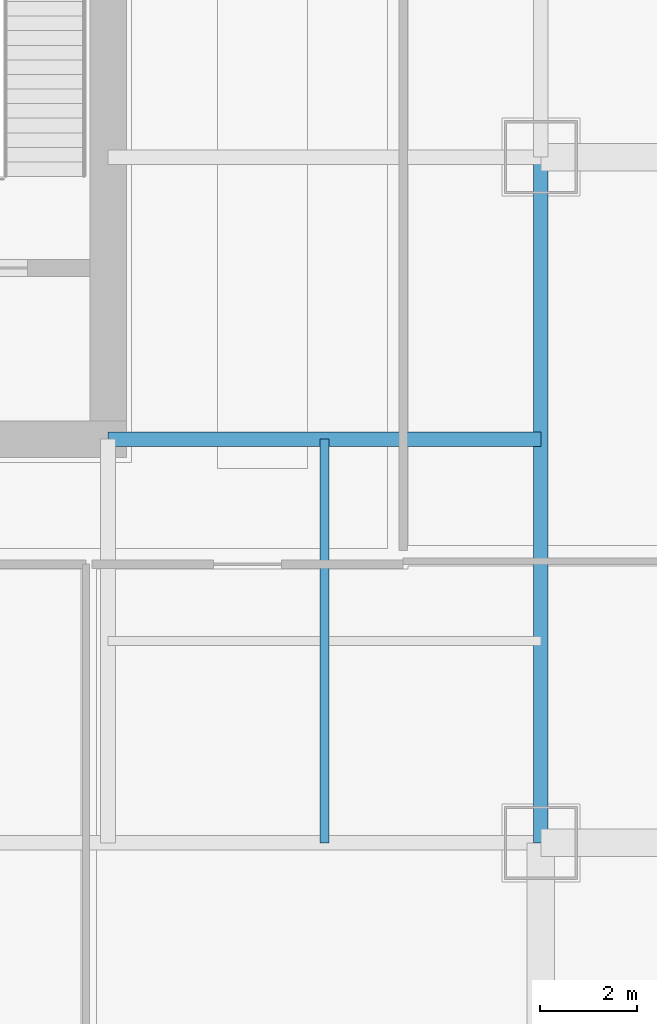
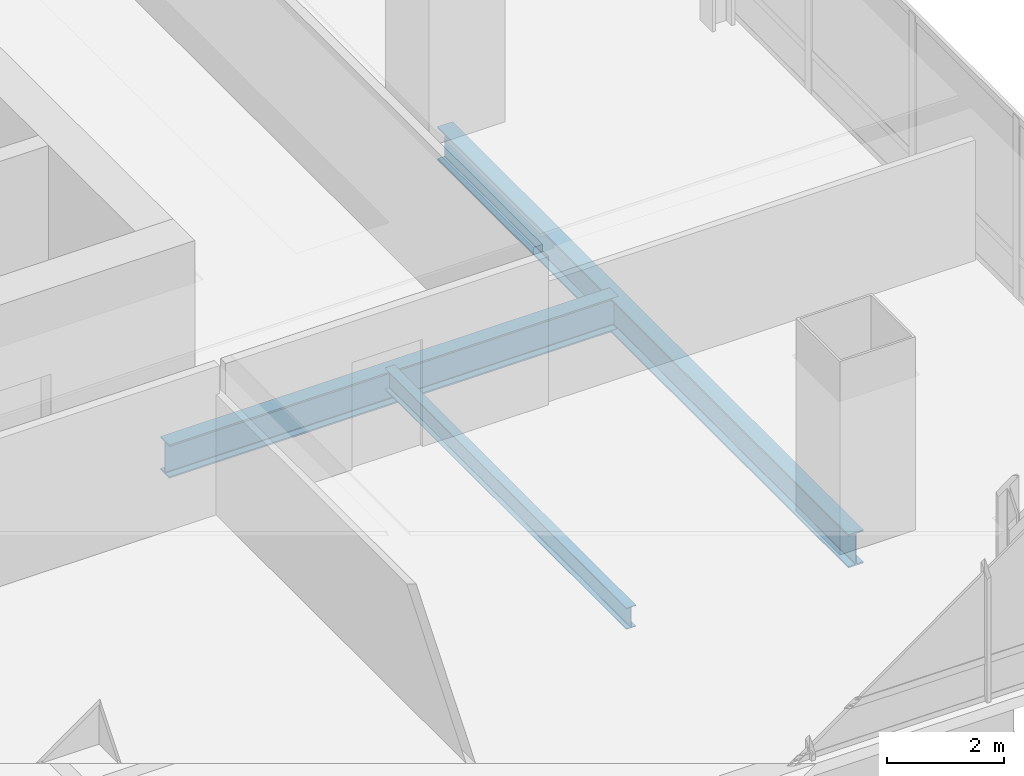
# One storey, part 12 of 40: 3 beams.
"""IFC4 building model written with IfcOpenShell, lengths in metres."""

from ifc_helpers import new_model, si_unit, direction, frame, origin, origin_2d, place, context, subcontext, project, spatial, i_section, extrude, material, material_profile, profile_set, type_object, element, save


model = new_model("IFC4")

# Units and contexts
model_context = context("Model", 3, precision=1e-05, world=origin(), true_north=direction((0.0, 1.0)))
body_context = subcontext(model_context, "Body", "Model", "MODEL_VIEW")
ifc_project = project(units=[si_unit("LENGTHUNIT", "METRE"), si_unit("AREAUNIT", "SQUARE_METRE"), si_unit("VOLUMEUNIT", "CUBIC_METRE"), si_unit("PLANEANGLEUNIT", "RADIAN"), si_unit("MASSUNIT", "GRAM", prefix="KILO")], contexts=[model_context])

# Site, building, storey
site_placement = place(None, origin())
site = spatial("IfcSite", under=ifc_project, at=site_placement, CompositionType="ELEMENT")
building_placement = place(site_placement, origin())
building = spatial("IfcBuilding", under=site, at=building_placement, Name="Punatoya Terracotta Tower", CompositionType="ELEMENT")
storey_placement = place(building_placement, frame((0.0, 0.0, 76.800048828125)))
storey = spatial("IfcBuildingStorey", under=building, at=storey_placement, Name="L17", CompositionType="ELEMENT", Elevation=76.800048828125)

# Beams
ifc_material = material(Name="Steel S355", Category="steel")
ifc_material_profile_1 = material_profile(ifc_material, i_section(OverallWidth=0.300048828125, OverallDepth=0.699951171875, WebThickness=0.01708984375, FlangeThickness=0.031982421875, FilletRadius=0.01806640625, at=origin_2d()))
ifc_profile_set_1 = profile_set([ifc_material_profile_1], Name="Steel S355")
beam_type_1 = type_object("IfcBeamType", Name="BM-PRI-700", PredefinedType="BEAM", material=ifc_profile_set_1)
beam_1_placement = place(storey_placement, frame((19.10009765625, -17.5, -0.590087890625), z_axis=(0.0, 1.0, 0.0), x_axis=(-1.0, 0.0, 0.0)))
element("IfcBeam", 1, at=beam_1_placement, inside=storey, type_object=beam_type_1, Name="BM-L17-RG-E1", PredefinedType="BEAM", context=body_context, shape_type="SweptSolid", body=[
    extrude(i_section(OverallWidth=0.300048828125, OverallDepth=0.699951171875, WebThickness=0.01708984375, FlangeThickness=0.031982421875, FilletRadius=0.01806640625, at=origin_2d()), origin(), (0.0, 0.0, 1.0), 14.10009765625),
])
beam_2_placement = place(storey_placement, frame((10.199951171875, -9.199951171875, -0.590087890625), z_axis=(1.0, 0.0, 0.0), x_axis=(0.0, 1.0, 0.0)))
element("IfcBeam", 2, at=beam_2_placement, inside=storey, type_object=beam_type_1, Name="BM-L17-PR-ES", PredefinedType="BEAM", context=body_context, shape_type="SweptSolid", body=[
    extrude(i_section(OverallWidth=0.300048828125, OverallDepth=0.699951171875, WebThickness=0.01708984375, FlangeThickness=0.031982421875, FilletRadius=0.01806640625, at=origin_2d()), origin(), (0.0, 0.0, 1.0), 8.900146484375),
])
ifc_material_profile_2 = material_profile(ifc_material, i_section(OverallWidth=0.18994140625, OverallDepth=0.449951171875, WebThickness=0.009521484375, FlangeThickness=0.0146484375, FilletRadius=0.01806640625, at=origin_2d()))
ifc_profile_set_2 = profile_set([ifc_material_profile_2], Name="Steel S355")
beam_type_2 = type_object("IfcBeamType", Name="BM-SEC-450", PredefinedType="JOIST", material=ifc_profile_set_2)
beam_3_placement = place(storey_placement, frame((14.64990234375, -17.5, -0.465087890625), z_axis=(0.0, 1.0, 0.0), x_axis=(-1.0, 0.0, 0.0)))
element("IfcBeam", 3, at=beam_3_placement, inside=storey, type_object=beam_type_2, Name="BM-L17-SJE-1", PredefinedType="JOIST", context=body_context, shape_type="SweptSolid", body=[
    extrude(i_section(OverallWidth=0.18994140625, OverallDepth=0.449951171875, WebThickness=0.009521484375, FlangeThickness=0.0146484375, FilletRadius=0.01806640625, at=origin_2d()), origin(), (0.0, 0.0, 1.0), 8.300048828125),
])

save(model, "model.ifc")
